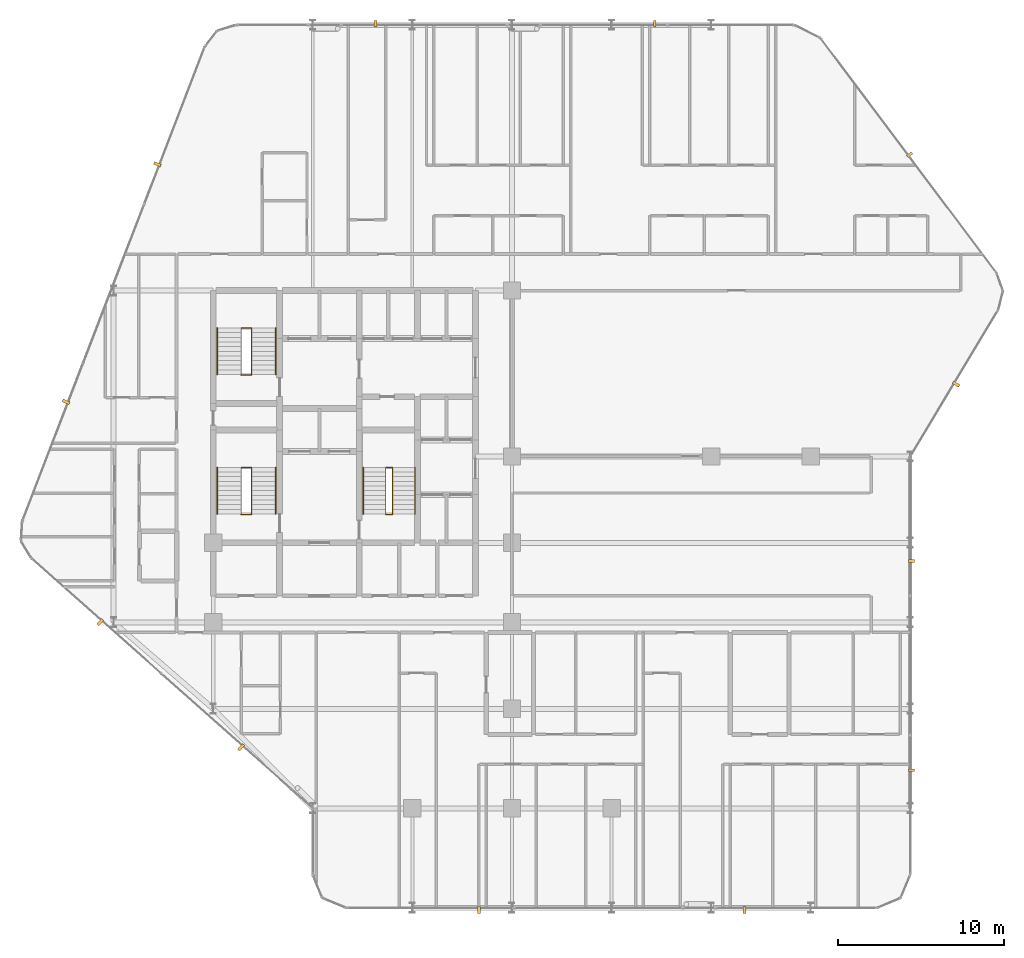
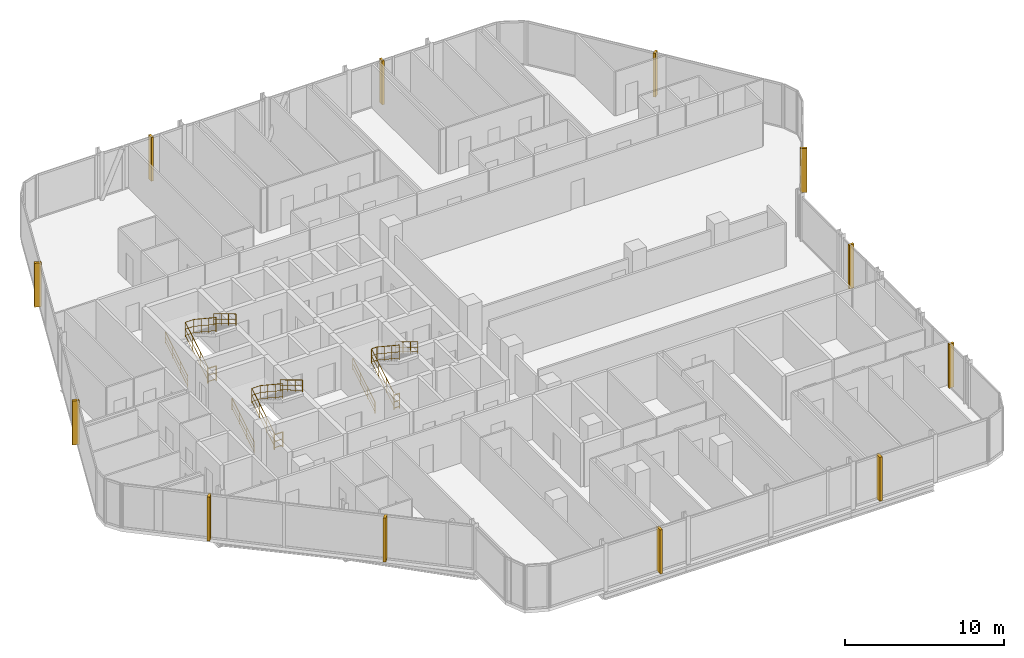
# One storey, part 30 of 30: 12 coverings, 12 railings.
"""IFC4 building model written with IfcOpenShell, lengths in metres."""

from ifc_helpers import new_model, si_unit, direction, frame, origin, origin_2d, place, context, subcontext, project, spatial, rectangle, circle, extrude, material, layer, layer_set, type_object, element, save


model = new_model("IFC4")

# Units and contexts
model_context = context("Model", 3, precision=1e-05, world=origin(), true_north=direction((0.0, 1.0)))
body_context = subcontext(model_context, "Body", "Model", "MODEL_VIEW")
ifc_project = project(units=[si_unit("LENGTHUNIT", "METRE"), si_unit("AREAUNIT", "SQUARE_METRE"), si_unit("VOLUMEUNIT", "CUBIC_METRE"), si_unit("PLANEANGLEUNIT", "RADIAN"), si_unit("MASSUNIT", "GRAM", prefix="KILO")], contexts=[model_context])

# Site, building, storey
site_placement = place(None, origin())
site = spatial("IfcSite", under=ifc_project, at=site_placement, CompositionType="ELEMENT")
building_placement = place(site_placement, origin())
building = spatial("IfcBuilding", under=site, at=building_placement, Name="Keshet Zoharim Tower", CompositionType="ELEMENT")
storey_placement = place(building_placement, frame((0.0, 0.0, 109.39990234375)))
storey = spatial("IfcBuildingStorey", under=building, at=storey_placement, Name="L26", CompositionType="ELEMENT", Elevation=109.39990234375)

# Coverings
ifc_material_1 = material(Name="Concrete C50/60 precast", Category="concrete")
covering_type_1 = type_object("IfcCoveringType", Name="FIN-SOL-360", PredefinedType="CLADDING", material=ifc_material_1)
for number, where, z_axis, x_axis, name in (
    (1, (24.780029296875, 53.97998046875, 0.0), (0.0, 0.0, 1.0), (1.0, 0.0, 0.0), "L26 Vertical Precast Solar Fin 07"),
    (2, (41.593994140625, 53.97998046875, 0.0), (0.0, 0.0, 1.0), (1.0, 0.0, 0.0), "L26 Vertical Precast Solar Fin 08"),
    (3, (56.9609375, 46.0859375, 0.0), (0.0, 0.0, 1.0), (0.600000000002, -0.799999999998, 0.0), "L26 Vertical Precast Solar Fin 09"),
    (4, (57.080078125, 21.60009765625, 0.0), (0.0, 0.0, 1.0), (0.0, -1.0, 0.0), "L26 Vertical Precast Solar Fin 11"),
    (5, (57.080078125, 9.0, 0.0), (0.0, 0.0, 1.0), (0.0, -1.0, 0.0), "L26 Vertical Precast Solar Fin 12"),
):
    element("IfcCovering", number, at=place(storey_placement, frame(where, z_axis=z_axis, x_axis=x_axis)), inside=storey, type_object=covering_type_1, Name=name, PredefinedType="CLADDING", context=body_context, shape_type="SweptSolid", body=[
        extrude(rectangle(XDim=0.159912109375, YDim=0.360107421875, at=origin_2d()), origin(), (0.0, 0.0, 1.0), 3.385009765625),
    ])
covering_type_2 = type_object("IfcCoveringType", Name="FIN-SOL-450", PredefinedType="CLADDING", material=ifc_material_1)
for number, where, z_axis, x_axis, name in (
    (6, (47.0, 0.574951171875, 0.0), (0.0, 0.0, 1.0), (-1.0, 0.0, 0.0), "L26 Vertical Precast Solar Fin 01"),
    (7, (31.0, 0.574951171875, 0.0), (0.0, 0.0, 1.0), (-1.0, 0.0, 0.0), "L26 Vertical Precast Solar Fin 02"),
    (8, (16.676025390625, 10.376953125, 0.0), (0.0, 0.0, 1.0), (-0.747409318679, 0.664363838836, 0.0), "L26 Vertical Precast Solar Fin 03"),
    (9, (8.193115234375, 17.9169921875, 0.0), (0.0, 0.0, 1.0), (-0.747409318679, 0.664363838836, 0.0), "L26 Vertical Precast Solar Fin 04"),
    (10, (6.133056640625, 31.194091796875, 0.0), (0.0, 0.0, 1.0), (0.358990003907, 0.933341404361, 0.0), "L26 Vertical Precast Solar Fin 05"),
    (11, (11.637939453125, 45.507080078125, 0.0), (0.0, 0.0, 1.0), (0.358990003907, 0.933341404361, 0.0), "L26 Vertical Precast Solar Fin 06"),
    (12, (59.760986328125, 32.259033203125, 0.0), (0.0, 0.0, 1.0), (-0.514481501576, -0.857501477862, 0.0), "L26 Vertical Precast Solar Fin 10"),
):
    element("IfcCovering", number, at=place(storey_placement, frame(where, z_axis=z_axis, x_axis=x_axis)), inside=storey, type_object=covering_type_2, Name=name, PredefinedType="CLADDING", context=body_context, shape_type="SweptSolid", body=[
        extrude(rectangle(XDim=0.179931640625, YDim=0.449951171875, at=origin_2d()), origin(), (0.0, 0.0, 1.0), 3.385009765625),
    ])

# Railings
ifc_material_2 = material(Name="Steel S355", Category="steel")
ifc_layer_1 = layer(ifc_material_2, 0.050048828125)
ifc_layer_set_1 = layer_set([ifc_layer_1], Name="Steel S355")
railing_type_1 = type_object("IfcRailingType", Name="RL-HND-092", PredefinedType="HANDRAIL", material=ifc_layer_set_1)
railing_1_placement = place(storey_placement, frame((15.239990234375, 24.43994140625, 0.168212890625)))
element("IfcRailing", 13, at=railing_1_placement, inside=storey, type_object=railing_type_1, Name="L26 ST-01 Flight 1 Wall Handrail", PredefinedType="HANDRAIL", context=body_context, shape_type="SweptSolid", body=[
    extrude(circle(Radius=0.02392578125, at=origin_2d()), frame((0.0, 0.0, 0.89599609375), z_axis=(0.0, 0.857242210791, 0.514913383045), x_axis=(-1.0, 0.0, 0.0)), (0.0, 0.0, 1.0), 3.266357421875),
    extrude(circle(Radius=0.01611328125, at=origin_2d()), frame((0.0, 0.0, 0.478271484375), z_axis=(0.0, 0.857242210791, 0.514913383045), x_axis=(-1.0, 0.0, 0.0)), (0.0, 0.0, 1.0), 3.266357421875),
    extrude(circle(Radius=0.01611328125, at=origin_2d()), frame((0.0, 0.0, 0.1201171875), z_axis=(0.0, 0.857242210791, 0.514913383045), x_axis=(-1.0, 0.0, 0.0)), (0.0, 0.0, 1.0), 3.266357421875),
    extrude(circle(Radius=0.02099609375, at=origin_2d()), origin(), (0.0, 0.0, 1.0), 0.871826171875),
    extrude(circle(Radius=0.02099609375, at=origin_2d()), frame((0.0, 0.933349609375, 0.560546875)), (0.0, 0.0, 1.0), 0.871826171875),
    extrude(circle(Radius=0.02099609375, at=origin_2d()), frame((0.0, 1.86669921875, 1.121337890625)), (0.0, 0.0, 1.0), 0.871826171875),
    extrude(circle(Radius=0.02099609375, at=origin_2d()), frame((0.0, 2.800048828125, 1.681884765625)), (0.0, 0.0, 1.0), 0.871826171875),
])
railing_2_placement = place(storey_placement, frame((18.760009765625, 27.239990234375, 2.018310546875)))
element("IfcRailing", 14, at=railing_2_placement, inside=storey, type_object=railing_type_1, Name="L26 ST-01 Flight 2 Wall Handrail", PredefinedType="HANDRAIL", context=body_context, shape_type="SweptSolid", body=[
    extrude(circle(Radius=0.02392578125, at=origin_2d()), frame((0.0, 0.0, 0.89599609375), z_axis=(0.0, -0.857242210791, 0.514913383045), x_axis=(1.0, 0.0, 0.0)), (0.0, 0.0, 1.0), 3.266357421875),
    extrude(circle(Radius=0.01611328125, at=origin_2d()), frame((0.0, 0.0, 0.478271484375), z_axis=(0.0, -0.857242210791, 0.514913383045), x_axis=(1.0, 0.0, 0.0)), (0.0, 0.0, 1.0), 3.266357421875),
    extrude(circle(Radius=0.01611328125, at=origin_2d()), frame((0.0, 0.0, 0.1201171875), z_axis=(0.0, -0.857242210791, 0.514913383045), x_axis=(1.0, 0.0, 0.0)), (0.0, 0.0, 1.0), 3.266357421875),
    extrude(circle(Radius=0.02099609375, at=origin_2d()), origin(), (0.0, 0.0, 1.0), 0.871826171875),
    extrude(circle(Radius=0.02099609375, at=origin_2d()), frame((0.0, -0.933349609375, 0.560546875)), (0.0, 0.0, 1.0), 0.871826171875),
    extrude(circle(Radius=0.02099609375, at=origin_2d()), frame((0.0, -1.86669921875, 1.121337890625)), (0.0, 0.0, 1.0), 0.871826171875),
    extrude(circle(Radius=0.02099609375, at=origin_2d()), frame((0.0, -2.800048828125, 1.681884765625)), (0.0, 0.0, 1.0), 0.871826171875),
])
railing_3_placement = place(storey_placement, frame((15.239990234375, 32.840087890625, 0.168212890625)))
element("IfcRailing", 15, at=railing_3_placement, inside=storey, type_object=railing_type_1, Name="L26 ST-02 Flight 1 Wall Handrail", PredefinedType="HANDRAIL", context=body_context, shape_type="SweptSolid", body=[
    extrude(circle(Radius=0.02392578125, at=origin_2d()), frame((0.0, 0.0, 0.89599609375), z_axis=(0.0, 0.857222391501, 0.514946377315), x_axis=(-1.0, 0.0, 0.0)), (0.0, 0.0, 1.0), 3.26611328125),
    extrude(circle(Radius=0.01611328125, at=origin_2d()), frame((0.0, 0.0, 0.478271484375), z_axis=(0.0, 0.857222391501, 0.514946377315), x_axis=(-1.0, 0.0, 0.0)), (0.0, 0.0, 1.0), 3.26611328125),
    extrude(circle(Radius=0.01611328125, at=origin_2d()), frame((0.0, 0.0, 0.1201171875), z_axis=(0.0, 0.857222391501, 0.514946377315), x_axis=(-1.0, 0.0, 0.0)), (0.0, 0.0, 1.0), 3.26611328125),
    extrude(circle(Radius=0.02099609375, at=origin_2d()), origin(), (0.0, 0.0, 1.0), 0.871826171875),
    extrude(circle(Radius=0.02099609375, at=origin_2d()), frame((0.0, 0.933349609375, 0.560546875)), (0.0, 0.0, 1.0), 0.871826171875),
    extrude(circle(Radius=0.02099609375, at=origin_2d()), frame((0.0, 1.866455078125, 1.121337890625)), (0.0, 0.0, 1.0), 0.871826171875),
    extrude(circle(Radius=0.02099609375, at=origin_2d()), frame((0.0, 2.7998046875, 1.681884765625)), (0.0, 0.0, 1.0), 0.871826171875),
])
railing_4_placement = place(storey_placement, frame((18.760009765625, 35.639892578125, 2.018310546875)))
element("IfcRailing", 16, at=railing_4_placement, inside=storey, type_object=railing_type_1, Name="L26 ST-02 Flight 2 Wall Handrail", PredefinedType="HANDRAIL", context=body_context, shape_type="SweptSolid", body=[
    extrude(circle(Radius=0.02392578125, at=origin_2d()), frame((0.0, 0.0, 0.89599609375), z_axis=(0.0, -0.857222391501, 0.514946377315), x_axis=(1.0, 0.0, 0.0)), (0.0, 0.0, 1.0), 3.26611328125),
    extrude(circle(Radius=0.01611328125, at=origin_2d()), frame((0.0, 0.0, 0.478271484375), z_axis=(0.0, -0.857222391501, 0.514946377315), x_axis=(1.0, 0.0, 0.0)), (0.0, 0.0, 1.0), 3.26611328125),
    extrude(circle(Radius=0.01611328125, at=origin_2d()), frame((0.0, 0.0, 0.1201171875), z_axis=(0.0, -0.857222391501, 0.514946377315), x_axis=(1.0, 0.0, 0.0)), (0.0, 0.0, 1.0), 3.26611328125),
    extrude(circle(Radius=0.02099609375, at=origin_2d()), origin(), (0.0, 0.0, 1.0), 0.871826171875),
    extrude(circle(Radius=0.02099609375, at=origin_2d()), frame((0.0, -0.933349609375, 0.560546875)), (0.0, 0.0, 1.0), 0.871826171875),
    extrude(circle(Radius=0.02099609375, at=origin_2d()), frame((0.0, -1.866455078125, 1.121337890625)), (0.0, 0.0, 1.0), 0.871826171875),
    extrude(circle(Radius=0.02099609375, at=origin_2d()), frame((0.0, -2.7998046875, 1.681884765625)), (0.0, 0.0, 1.0), 0.871826171875),
])
railing_5_placement = place(storey_placement, frame((24.0400390625, 24.43994140625, 0.168212890625)))
element("IfcRailing", 17, at=railing_5_placement, inside=storey, type_object=railing_type_1, Name="L26 ST-03 Flight 1 Wall Handrail", PredefinedType="HANDRAIL", context=body_context, shape_type="SweptSolid", body=[
    extrude(circle(Radius=0.02392578125, at=origin_2d()), frame((0.0, 0.0, 0.89599609375), z_axis=(0.0, 0.857242210791, 0.514913383045), x_axis=(-1.0, 0.0, 0.0)), (0.0, 0.0, 1.0), 3.266357421875),
    extrude(circle(Radius=0.01611328125, at=origin_2d()), frame((0.0, 0.0, 0.478271484375), z_axis=(0.0, 0.857242210791, 0.514913383045), x_axis=(-1.0, 0.0, 0.0)), (0.0, 0.0, 1.0), 3.266357421875),
    extrude(circle(Radius=0.01611328125, at=origin_2d()), frame((0.0, 0.0, 0.1201171875), z_axis=(0.0, 0.857242210791, 0.514913383045), x_axis=(-1.0, 0.0, 0.0)), (0.0, 0.0, 1.0), 3.266357421875),
    extrude(circle(Radius=0.02099609375, at=origin_2d()), origin(), (0.0, 0.0, 1.0), 0.871826171875),
    extrude(circle(Radius=0.02099609375, at=origin_2d()), frame((0.0, 0.933349609375, 0.560546875)), (0.0, 0.0, 1.0), 0.871826171875),
    extrude(circle(Radius=0.02099609375, at=origin_2d()), frame((0.0, 1.86669921875, 1.121337890625)), (0.0, 0.0, 1.0), 0.871826171875),
    extrude(circle(Radius=0.02099609375, at=origin_2d()), frame((0.0, 2.800048828125, 1.681884765625)), (0.0, 0.0, 1.0), 0.871826171875),
])
railing_6_placement = place(storey_placement, frame((27.159912109375, 27.239990234375, 2.018310546875)))
element("IfcRailing", 18, at=railing_6_placement, inside=storey, type_object=railing_type_1, Name="L26 ST-03 Flight 2 Wall Handrail", PredefinedType="HANDRAIL", context=body_context, shape_type="SweptSolid", body=[
    extrude(circle(Radius=0.02392578125, at=origin_2d()), frame((0.0, 0.0, 0.89599609375), z_axis=(0.0, -0.857242210791, 0.514913383045), x_axis=(1.0, 0.0, 0.0)), (0.0, 0.0, 1.0), 3.266357421875),
    extrude(circle(Radius=0.01611328125, at=origin_2d()), frame((0.0, 0.0, 0.478271484375), z_axis=(0.0, -0.857242210791, 0.514913383045), x_axis=(1.0, 0.0, 0.0)), (0.0, 0.0, 1.0), 3.266357421875),
    extrude(circle(Radius=0.01611328125, at=origin_2d()), frame((0.0, 0.0, 0.1201171875), z_axis=(0.0, -0.857242210791, 0.514913383045), x_axis=(1.0, 0.0, 0.0)), (0.0, 0.0, 1.0), 3.266357421875),
    extrude(circle(Radius=0.02099609375, at=origin_2d()), origin(), (0.0, 0.0, 1.0), 0.871826171875),
    extrude(circle(Radius=0.02099609375, at=origin_2d()), frame((0.0, -0.933349609375, 0.560546875)), (0.0, 0.0, 1.0), 0.871826171875),
    extrude(circle(Radius=0.02099609375, at=origin_2d()), frame((0.0, -1.86669921875, 1.121337890625)), (0.0, 0.0, 1.0), 0.871826171875),
    extrude(circle(Radius=0.02099609375, at=origin_2d()), frame((0.0, -2.800048828125, 1.681884765625)), (0.0, 0.0, 1.0), 0.871826171875),
])
ifc_layer_2 = layer(ifc_material_2, 0.06005859375)
ifc_layer_set_2 = layer_set([ifc_layer_2], Name="Steel S355")
railing_type_2 = type_object("IfcRailingType", Name="RL-STG-115", PredefinedType="GUARDRAIL", material=ifc_layer_set_2)
railing_7_placement = place(storey_placement, frame((16.68994140625, 24.43994140625, 0.168212890625)))
element("IfcRailing", 19, at=railing_7_placement, inside=storey, type_object=railing_type_2, Name="L26 ST-01 Inner Well Guardrail", PredefinedType="GUARDRAIL", context=body_context, shape_type="SweptSolid", body=[
    extrude(circle(Radius=0.02392578125, at=origin_2d()), frame((0.0, 0.0, 1.1259765625), z_axis=(0.0, 0.857242210791, 0.514913383045), x_axis=(-1.0, 0.0, 0.0)), (0.0, 0.0, 1.0), 3.266357421875),
    extrude(circle(Radius=0.01611328125, at=origin_2d()), frame((0.0, 0.0, 0.597900390625), z_axis=(0.0, 0.857242210791, 0.514913383045), x_axis=(-1.0, 0.0, 0.0)), (0.0, 0.0, 1.0), 3.266357421875),
    extrude(circle(Radius=0.01611328125, at=origin_2d()), frame((0.0, 0.0, 0.1201171875), z_axis=(0.0, 0.857242210791, 0.514913383045), x_axis=(-1.0, 0.0, 0.0)), (0.0, 0.0, 1.0), 3.266357421875),
    extrude(circle(Radius=0.02392578125, at=origin_2d()), frame((0.0, 2.800048828125, 2.8076171875), z_axis=(1.0, 0.0, 0.0), x_axis=(0.0, 1.0, 0.0)), (0.0, 0.0, 1.0), 0.6201171875),
    extrude(circle(Radius=0.01611328125, at=origin_2d()), frame((0.0, 2.800048828125, 2.27978515625), z_axis=(1.0, 0.0, 0.0), x_axis=(0.0, 1.0, 0.0)), (0.0, 0.0, 1.0), 0.6201171875),
    extrude(circle(Radius=0.01611328125, at=origin_2d()), frame((0.0, 2.800048828125, 1.802001953125), z_axis=(1.0, 0.0, 0.0), x_axis=(0.0, 1.0, 0.0)), (0.0, 0.0, 1.0), 0.6201171875),
    extrude(circle(Radius=0.02392578125, at=origin_2d()), frame((0.6201171875, 2.800048828125, 2.8076171875), z_axis=(0.0, -0.834326358476, 0.551270829586), x_axis=(1.0, 0.0, 0.0)), (0.0, 0.0, 1.0), 3.35595703125),
    extrude(circle(Radius=0.01611328125, at=origin_2d()), frame((0.6201171875, 2.800048828125, 2.27978515625), z_axis=(0.0, -0.834326358476, 0.551270829586), x_axis=(1.0, 0.0, 0.0)), (0.0, 0.0, 1.0), 3.35595703125),
    extrude(circle(Radius=0.01611328125, at=origin_2d()), frame((0.6201171875, 2.800048828125, 1.802001953125), z_axis=(0.0, -0.834326358476, 0.551270829586), x_axis=(1.0, 0.0, 0.0)), (0.0, 0.0, 1.0), 3.35595703125),
    extrude(circle(Radius=0.02099609375, at=origin_2d()), origin(), (0.0, 0.0, 1.0), 1.101806640625),
    extrude(circle(Radius=0.02099609375, at=origin_2d()), frame((0.0, 0.933349609375, 0.560546875)), (0.0, 0.0, 1.0), 1.101806640625),
    extrude(circle(Radius=0.02099609375, at=origin_2d()), frame((0.0, 1.86669921875, 1.121337890625)), (0.0, 0.0, 1.0), 1.101806640625),
    extrude(circle(Radius=0.02099609375, at=origin_2d()), frame((0.0, 2.800048828125, 1.681884765625)), (0.0, 0.0, 1.0), 1.101806640625),
    extrude(circle(Radius=0.02099609375, at=origin_2d()), frame((0.6201171875, 2.800048828125, 1.681884765625)), (0.0, 0.0, 1.0), 1.101806640625),
    extrude(circle(Radius=0.02099609375, at=origin_2d()), frame((0.6201171875, 1.86669921875, 2.298583984375)), (0.0, 0.0, 1.0), 1.101806640625),
    extrude(circle(Radius=0.02099609375, at=origin_2d()), frame((0.6201171875, 0.933349609375, 2.915283203125)), (0.0, 0.0, 1.0), 1.101806640625),
    extrude(circle(Radius=0.02099609375, at=origin_2d()), frame((0.6201171875, 0.0, 3.531982421875)), (0.0, 0.0, 1.0), 1.101806640625),
])
railing_8_placement = place(storey_placement, frame((16.68994140625, 24.409912109375, 0.0)))
element("IfcRailing", 20, at=railing_8_placement, inside=storey, type_object=railing_type_2, Name="L26 ST-01 Stairwell Floor Guardrail", PredefinedType="GUARDRAIL", context=body_context, shape_type="SweptSolid", body=[
    extrude(circle(Radius=0.02392578125, at=origin_2d()), frame((0.0, 0.0, 1.1259765625), z_axis=(1.0, 0.0, 0.0), x_axis=(0.0, 1.0, 0.0)), (0.0, 0.0, 1.0), 0.6201171875),
    extrude(circle(Radius=0.01611328125, at=origin_2d()), frame((0.0, 0.0, 0.597900390625), z_axis=(1.0, 0.0, 0.0), x_axis=(0.0, 1.0, 0.0)), (0.0, 0.0, 1.0), 0.6201171875),
    extrude(circle(Radius=0.01611328125, at=origin_2d()), frame((0.0, 0.0, 0.1201171875), z_axis=(1.0, 0.0, 0.0), x_axis=(0.0, 1.0, 0.0)), (0.0, 0.0, 1.0), 0.6201171875),
    extrude(circle(Radius=0.02099609375, at=origin_2d()), origin(), (0.0, 0.0, 1.0), 1.101806640625),
    extrude(circle(Radius=0.02099609375, at=origin_2d()), frame((0.6201171875, 0.0, 0.0)), (0.0, 0.0, 1.0), 1.101806640625),
])
railing_9_placement = place(storey_placement, frame((16.68994140625, 32.840087890625, 0.168212890625)))
element("IfcRailing", 21, at=railing_9_placement, inside=storey, type_object=railing_type_2, Name="L26 ST-02 Inner Well Guardrail", PredefinedType="GUARDRAIL", context=body_context, shape_type="SweptSolid", body=[
    extrude(circle(Radius=0.02392578125, at=origin_2d()), frame((0.0, 0.0, 1.1259765625), z_axis=(0.0, 0.857222391501, 0.514946377315), x_axis=(-1.0, 0.0, 0.0)), (0.0, 0.0, 1.0), 3.26611328125),
    extrude(circle(Radius=0.01611328125, at=origin_2d()), frame((0.0, 0.0, 0.597900390625), z_axis=(0.0, 0.857222391501, 0.514946377315), x_axis=(-1.0, 0.0, 0.0)), (0.0, 0.0, 1.0), 3.26611328125),
    extrude(circle(Radius=0.01611328125, at=origin_2d()), frame((0.0, 0.0, 0.1201171875), z_axis=(0.0, 0.857222391501, 0.514946377315), x_axis=(-1.0, 0.0, 0.0)), (0.0, 0.0, 1.0), 3.26611328125),
    extrude(circle(Radius=0.02392578125, at=origin_2d()), frame((0.0, 2.7998046875, 2.8076171875), z_axis=(1.0, 0.0, 0.0), x_axis=(0.0, 1.0, 0.0)), (0.0, 0.0, 1.0), 0.6201171875),
    extrude(circle(Radius=0.01611328125, at=origin_2d()), frame((0.0, 2.7998046875, 2.27978515625), z_axis=(1.0, 0.0, 0.0), x_axis=(0.0, 1.0, 0.0)), (0.0, 0.0, 1.0), 0.6201171875),
    extrude(circle(Radius=0.01611328125, at=origin_2d()), frame((0.0, 2.7998046875, 1.802001953125), z_axis=(1.0, 0.0, 0.0), x_axis=(0.0, 1.0, 0.0)), (0.0, 0.0, 1.0), 0.6201171875),
    extrude(circle(Radius=0.02392578125, at=origin_2d()), frame((0.6201171875, 2.7998046875, 2.8076171875), z_axis=(0.0, -0.834304248922, 0.551304290053), x_axis=(1.0, 0.0, 0.0)), (0.0, 0.0, 1.0), 3.35595703125),
    extrude(circle(Radius=0.01611328125, at=origin_2d()), frame((0.6201171875, 2.7998046875, 2.27978515625), z_axis=(0.0, -0.834304248922, 0.551304290053), x_axis=(1.0, 0.0, 0.0)), (0.0, 0.0, 1.0), 3.35595703125),
    extrude(circle(Radius=0.01611328125, at=origin_2d()), frame((0.6201171875, 2.7998046875, 1.802001953125), z_axis=(0.0, -0.834304248922, 0.551304290053), x_axis=(1.0, 0.0, 0.0)), (0.0, 0.0, 1.0), 3.35595703125),
    extrude(circle(Radius=0.02099609375, at=origin_2d()), origin(), (0.0, 0.0, 1.0), 1.101806640625),
    extrude(circle(Radius=0.02099609375, at=origin_2d()), frame((0.0, 0.933349609375, 0.560546875)), (0.0, 0.0, 1.0), 1.101806640625),
    extrude(circle(Radius=0.02099609375, at=origin_2d()), frame((0.0, 1.866455078125, 1.121337890625)), (0.0, 0.0, 1.0), 1.101806640625),
    extrude(circle(Radius=0.02099609375, at=origin_2d()), frame((0.0, 2.7998046875, 1.681884765625)), (0.0, 0.0, 1.0), 1.101806640625),
    extrude(circle(Radius=0.02099609375, at=origin_2d()), frame((0.6201171875, 2.7998046875, 1.681884765625)), (0.0, 0.0, 1.0), 1.101806640625),
    extrude(circle(Radius=0.02099609375, at=origin_2d()), frame((0.6201171875, 1.866455078125, 2.298583984375)), (0.0, 0.0, 1.0), 1.101806640625),
    extrude(circle(Radius=0.02099609375, at=origin_2d()), frame((0.6201171875, 0.933349609375, 2.915283203125)), (0.0, 0.0, 1.0), 1.101806640625),
    extrude(circle(Radius=0.02099609375, at=origin_2d()), frame((0.6201171875, 0.0, 3.531982421875)), (0.0, 0.0, 1.0), 1.101806640625),
])
railing_10_placement = place(storey_placement, frame((16.68994140625, 32.81005859375, 0.0)))
element("IfcRailing", 22, at=railing_10_placement, inside=storey, type_object=railing_type_2, Name="L26 ST-02 Stairwell Floor Guardrail", PredefinedType="GUARDRAIL", context=body_context, shape_type="SweptSolid", body=[
    extrude(circle(Radius=0.02392578125, at=origin_2d()), frame((0.0, 0.0, 1.1259765625), z_axis=(1.0, 0.0, 0.0), x_axis=(0.0, 1.0, 0.0)), (0.0, 0.0, 1.0), 0.6201171875),
    extrude(circle(Radius=0.01611328125, at=origin_2d()), frame((0.0, 0.0, 0.597900390625), z_axis=(1.0, 0.0, 0.0), x_axis=(0.0, 1.0, 0.0)), (0.0, 0.0, 1.0), 0.6201171875),
    extrude(circle(Radius=0.01611328125, at=origin_2d()), frame((0.0, 0.0, 0.1201171875), z_axis=(1.0, 0.0, 0.0), x_axis=(0.0, 1.0, 0.0)), (0.0, 0.0, 1.0), 0.6201171875),
    extrude(circle(Radius=0.02099609375, at=origin_2d()), origin(), (0.0, 0.0, 1.0), 1.101806640625),
    extrude(circle(Radius=0.02099609375, at=origin_2d()), frame((0.6201171875, 0.0, 0.0)), (0.0, 0.0, 1.0), 1.101806640625),
])
railing_11_placement = place(storey_placement, frame((25.39990234375, 24.43994140625, 0.168212890625)))
element("IfcRailing", 23, at=railing_11_placement, inside=storey, type_object=railing_type_2, Name="L26 ST-03 Inner Well Guardrail", PredefinedType="GUARDRAIL", context=body_context, shape_type="SweptSolid", body=[
    extrude(circle(Radius=0.02392578125, at=origin_2d()), frame((0.0, 0.0, 1.1259765625), z_axis=(0.0, 0.857242210791, 0.514913383045), x_axis=(-1.0, 0.0, 0.0)), (0.0, 0.0, 1.0), 3.266357421875),
    extrude(circle(Radius=0.01611328125, at=origin_2d()), frame((0.0, 0.0, 0.597900390625), z_axis=(0.0, 0.857242210791, 0.514913383045), x_axis=(-1.0, 0.0, 0.0)), (0.0, 0.0, 1.0), 3.266357421875),
    extrude(circle(Radius=0.01611328125, at=origin_2d()), frame((0.0, 0.0, 0.1201171875), z_axis=(0.0, 0.857242210791, 0.514913383045), x_axis=(-1.0, 0.0, 0.0)), (0.0, 0.0, 1.0), 3.266357421875),
    extrude(circle(Radius=0.02392578125, at=origin_2d()), frame((0.0, 2.800048828125, 2.8076171875), z_axis=(1.0, 0.0, 0.0), x_axis=(0.0, 1.0, 0.0)), (0.0, 0.0, 1.0), 0.400146484375),
    extrude(circle(Radius=0.01611328125, at=origin_2d()), frame((0.0, 2.800048828125, 2.27978515625), z_axis=(1.0, 0.0, 0.0), x_axis=(0.0, 1.0, 0.0)), (0.0, 0.0, 1.0), 0.400146484375),
    extrude(circle(Radius=0.01611328125, at=origin_2d()), frame((0.0, 2.800048828125, 1.802001953125), z_axis=(1.0, 0.0, 0.0), x_axis=(0.0, 1.0, 0.0)), (0.0, 0.0, 1.0), 0.400146484375),
    extrude(circle(Radius=0.02392578125, at=origin_2d()), frame((0.400146484375, 2.800048828125, 2.8076171875), z_axis=(0.0, -0.834326358476, 0.551270829586), x_axis=(1.0, 0.0, 0.0)), (0.0, 0.0, 1.0), 3.35595703125),
    extrude(circle(Radius=0.01611328125, at=origin_2d()), frame((0.400146484375, 2.800048828125, 2.27978515625), z_axis=(0.0, -0.834326358476, 0.551270829586), x_axis=(1.0, 0.0, 0.0)), (0.0, 0.0, 1.0), 3.35595703125),
    extrude(circle(Radius=0.01611328125, at=origin_2d()), frame((0.400146484375, 2.800048828125, 1.802001953125), z_axis=(0.0, -0.834326358476, 0.551270829586), x_axis=(1.0, 0.0, 0.0)), (0.0, 0.0, 1.0), 3.35595703125),
    extrude(circle(Radius=0.02099609375, at=origin_2d()), origin(), (0.0, 0.0, 1.0), 1.101806640625),
    extrude(circle(Radius=0.02099609375, at=origin_2d()), frame((0.0, 0.933349609375, 0.560546875)), (0.0, 0.0, 1.0), 1.101806640625),
    extrude(circle(Radius=0.02099609375, at=origin_2d()), frame((0.0, 1.86669921875, 1.121337890625)), (0.0, 0.0, 1.0), 1.101806640625),
    extrude(circle(Radius=0.02099609375, at=origin_2d()), frame((0.0, 2.800048828125, 1.681884765625)), (0.0, 0.0, 1.0), 1.101806640625),
    extrude(circle(Radius=0.02099609375, at=origin_2d()), frame((0.400146484375, 2.800048828125, 1.681884765625)), (0.0, 0.0, 1.0), 1.101806640625),
    extrude(circle(Radius=0.02099609375, at=origin_2d()), frame((0.400146484375, 1.86669921875, 2.298583984375)), (0.0, 0.0, 1.0), 1.101806640625),
    extrude(circle(Radius=0.02099609375, at=origin_2d()), frame((0.400146484375, 0.933349609375, 2.915283203125)), (0.0, 0.0, 1.0), 1.101806640625),
    extrude(circle(Radius=0.02099609375, at=origin_2d()), frame((0.400146484375, 0.0, 3.531982421875)), (0.0, 0.0, 1.0), 1.101806640625),
])
railing_12_placement = place(storey_placement, frame((25.39990234375, 24.409912109375, 0.0)))
element("IfcRailing", 24, at=railing_12_placement, inside=storey, type_object=railing_type_2, Name="L26 ST-03 Stairwell Floor Guardrail", PredefinedType="GUARDRAIL", context=body_context, shape_type="SweptSolid", body=[
    extrude(circle(Radius=0.02392578125, at=origin_2d()), frame((0.0, 0.0, 1.1259765625), z_axis=(1.0, 0.0, 0.0), x_axis=(0.0, 1.0, 0.0)), (0.0, 0.0, 1.0), 0.400146484375),
    extrude(circle(Radius=0.01611328125, at=origin_2d()), frame((0.0, 0.0, 0.597900390625), z_axis=(1.0, 0.0, 0.0), x_axis=(0.0, 1.0, 0.0)), (0.0, 0.0, 1.0), 0.400146484375),
    extrude(circle(Radius=0.01611328125, at=origin_2d()), frame((0.0, 0.0, 0.1201171875), z_axis=(1.0, 0.0, 0.0), x_axis=(0.0, 1.0, 0.0)), (0.0, 0.0, 1.0), 0.400146484375),
    extrude(circle(Radius=0.02099609375, at=origin_2d()), origin(), (0.0, 0.0, 1.0), 1.101806640625),
    extrude(circle(Radius=0.02099609375, at=origin_2d()), frame((0.400146484375, 0.0, 0.0)), (0.0, 0.0, 1.0), 1.101806640625),
])

save(model, "model.ifc")
